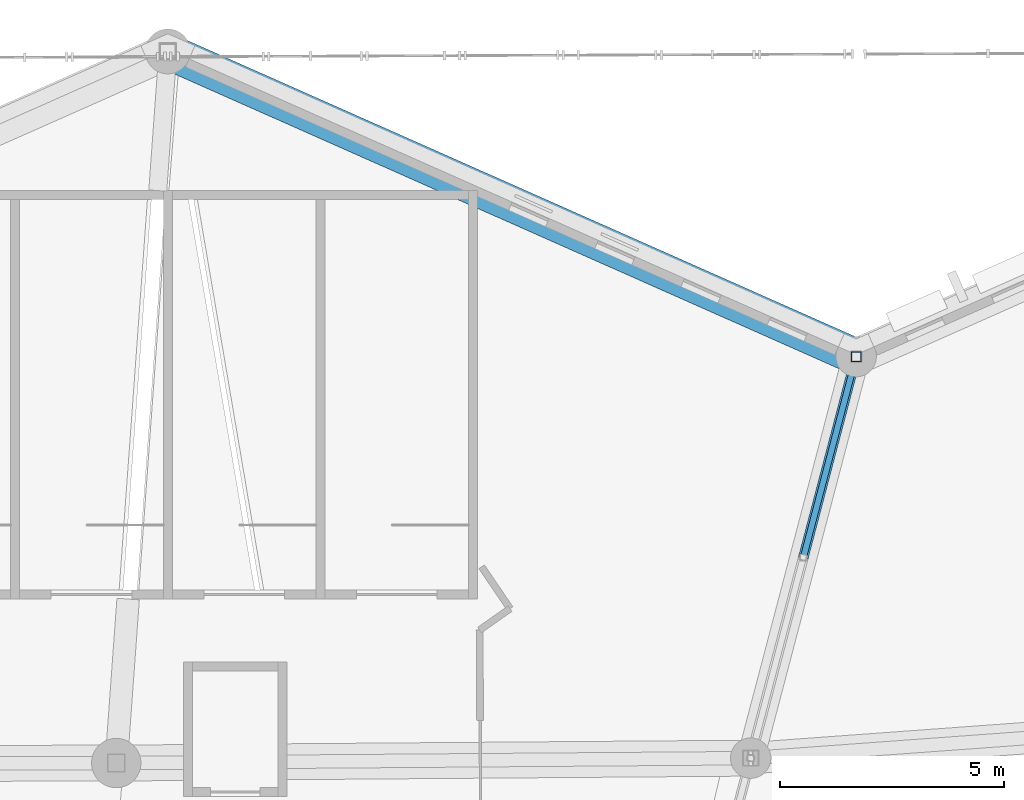
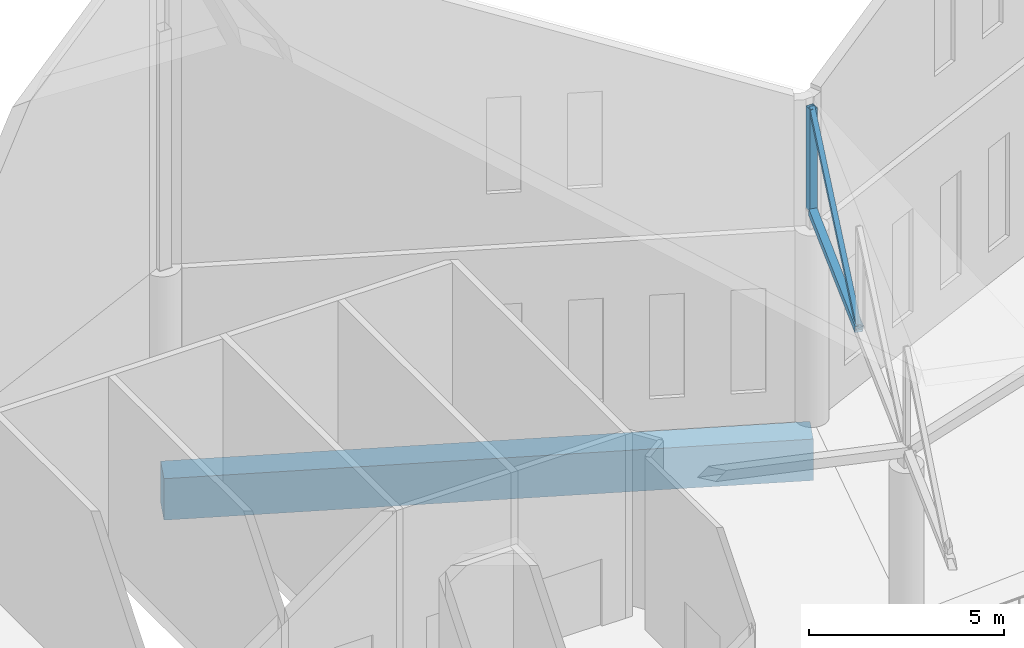
# One storey, part 171 of 344: 3 members, 1 beam.
"""IFC4 building model written with IfcOpenShell, lengths in metres."""

from ifc_helpers import new_model, si_unit, direction, frame, origin, origin_2d, place, context, subcontext, project, spatial, rectangle, hollow_rectangle, extrude, material, material_profile, profile_set, type_object, element, save


model = new_model("IFC4")

# Units and contexts
model_context = context("Model", 3, precision=1e-05, world=origin(), true_north=direction((0.0, 1.0)))
body_context = subcontext(model_context, "Body", "Model", "MODEL_VIEW")
ifc_project = project(units=[si_unit("LENGTHUNIT", "METRE"), si_unit("AREAUNIT", "SQUARE_METRE"), si_unit("VOLUMEUNIT", "CUBIC_METRE"), si_unit("PLANEANGLEUNIT", "RADIAN"), si_unit("MASSUNIT", "GRAM", prefix="KILO")], contexts=[model_context])

# Site, building, storey
site_placement = place(None, origin())
site = spatial("IfcSite", under=ifc_project, at=site_placement, CompositionType="ELEMENT")
building_placement = place(site_placement, origin())
building = spatial("IfcBuilding", under=site, at=building_placement, Name="Meseta Stadium", CompositionType="ELEMENT")
storey_placement = place(building_placement, frame((0.0, 0.0, 24.0)))
storey = spatial("IfcBuildingStorey", under=building, at=storey_placement, Name="L04", CompositionType="ELEMENT", Elevation=24.0)

# Beam
ifc_material_1 = material(Name="Concrete C40/50", Category="concrete")
ifc_material_profile_1 = material_profile(ifc_material_1, rectangle(XDim=0.800048828125, YDim=1.300048828125, at=origin_2d()), Name="RC 800x1300")
ifc_profile_set_1 = profile_set([ifc_material_profile_1], Name="Concrete C40/50")
beam_type = type_object("IfcBeamType", Name="RC beam 800x1300", PredefinedType="BEAM", material=ifc_profile_set_1)
beam_placement = place(storey_placement, frame((23.0, 98.60009765625, -1.050048828125), z_axis=(-0.914142564088, 0.405392861953, 0.0), x_axis=(-0.405392861953, -0.914142564088, 0.0)))
element("IfcBeam", 1, at=beam_placement, inside=storey, type_object=beam_type, Name="L04 ring beam frame 17 line R", PredefinedType="BEAM", context=body_context, shape_type="SweptSolid", body=[
    extrude(rectangle(XDim=0.800048828125, YDim=1.300048828125, at=origin_2d()), origin(), (0.0, 0.0, 1.0), 16.7734375),
])

# Members
ifc_material_2 = material(Name="Steel S355", Category="steel")
ifc_material_profile_2 = material_profile(ifc_material_2, hollow_rectangle(XDim=0.139892578125, YDim=0.139892578125, WallThickness=0.0048828125, at=origin_2d()), Name="SHS 140x140x5")
ifc_profile_set_2 = profile_set([ifc_material_profile_2], Name="Steel S355")
member_type_1 = type_object("IfcMemberType", Name="SHS 140x140x5 diagonal", PredefinedType="BRACE", material=ifc_profile_set_2)
member_1_placement = place(storey_placement, frame((21.82470703125, 94.128173828125, 5.89404296875), z_axis=(0.195414257696, 0.743540290448, 0.639500667998), x_axis=(-0.967155877946, 0.254184003736, 0.0)))
element("IfcMember", 2, at=member_1_placement, inside=storey, type_object=member_type_1, Name="ROOF TRUSS RT-17 diagonal", PredefinedType="BRACE", context=body_context, shape_type="SweptSolid", body=[
    extrude(hollow_rectangle(XDim=0.139892578125, YDim=0.139892578125, WallThickness=0.0048828125, at=origin_2d()), origin(), (0.0, 0.0, 1.0), 6.014404296875),
])
ifc_material_3 = material(Name="Steel S355", Category="steel")
ifc_material_profile_3 = material_profile(ifc_material_3, hollow_rectangle(XDim=0.219970703125, YDim=0.219970703125, WallThickness=0.008056640625, at=origin_2d()), Name="SHS 220x220x8")
ifc_profile_set_3 = profile_set([ifc_material_profile_3], Name="Steel S355")
member_type_2 = type_object("IfcMemberType", Name="SHS 220x220x8 bottom chord", PredefinedType="CHORD", material=ifc_profile_set_3)
member_2_placement = place(storey_placement, frame((21.82470703125, 94.128173828125, 5.89404296875), z_axis=(0.251763284142, 0.957835851284, 0.138440350884), x_axis=(-0.967148745494, 0.254211140764, 0.0)))
element("IfcMember", 3, at=member_2_placement, inside=storey, type_object=member_type_2, Name="ROOF TRUSS RT-17 bottom chord", PredefinedType="CHORD", context=body_context, shape_type="SweptSolid", body=[
    extrude(hollow_rectangle(XDim=0.219970703125, YDim=0.219970703125, WallThickness=0.008056640625, at=origin_2d()), origin(), (0.0, 0.0, 1.0), 4.55859375),
])
ifc_material_4 = material(Name="Steel S355", Category="steel")
ifc_material_profile_4 = material_profile(ifc_material_4, hollow_rectangle(XDim=0.219970703125, YDim=0.219970703125, WallThickness=0.008056640625, at=origin_2d()), Name="SHS 220x220x8")
ifc_profile_set_4 = profile_set([ifc_material_profile_4], Name="Steel S355")
member_type_3 = type_object("IfcMemberType", Name="SHS 220x220x8 rim post", PredefinedType="POST", material=ifc_profile_set_4)
member_3_placement = place(storey_placement, frame((23.0, 98.60009765625, 6.540283203125), z_axis=(0.0, 0.0, 1.0), x_axis=(1.0, 0.0, 0.0)))
element("IfcMember", 4, at=member_3_placement, inside=storey, type_object=member_type_3, Name="ROOF TRUSS RT-17 post", PredefinedType="POST", context=body_context, shape_type="SweptSolid", body=[
    extrude(hollow_rectangle(XDim=0.219970703125, YDim=0.219970703125, WallThickness=0.008056640625, at=origin_2d()), origin(), (0.0, 0.0, 1.0), 3.199951171875),
])

save(model, "model.ifc")
